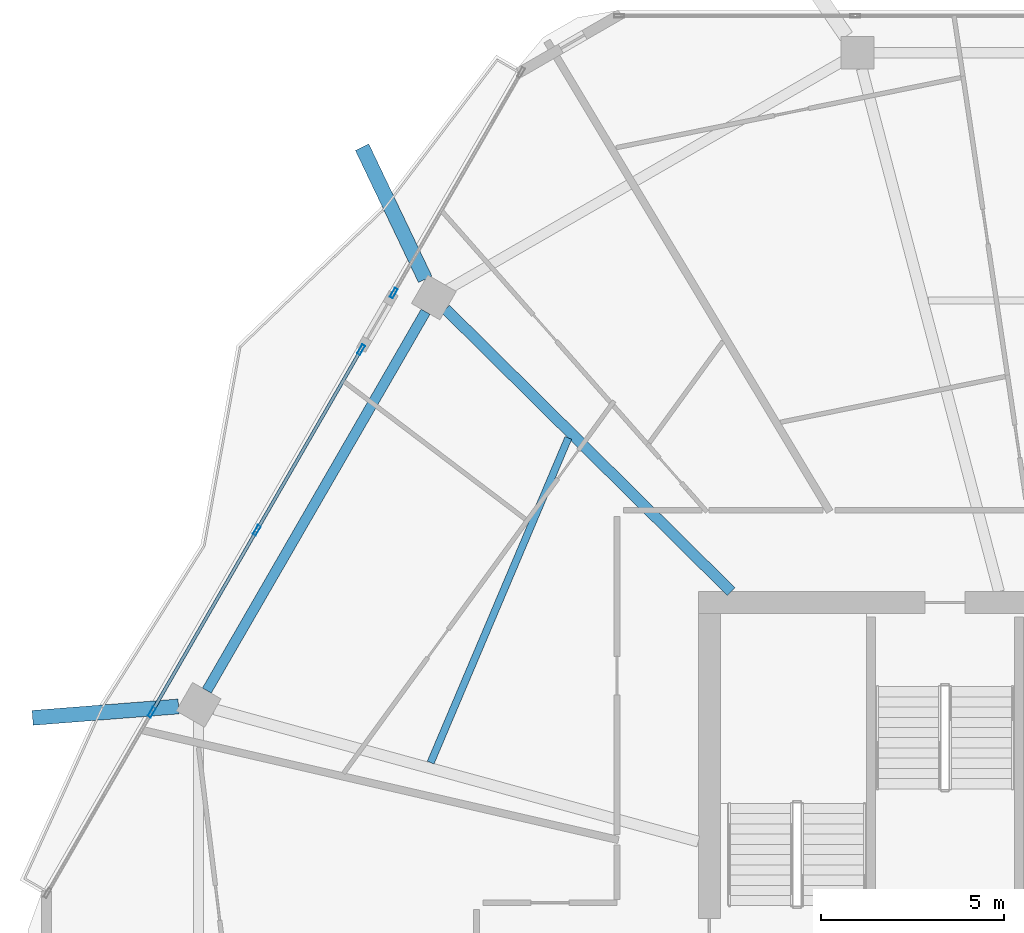
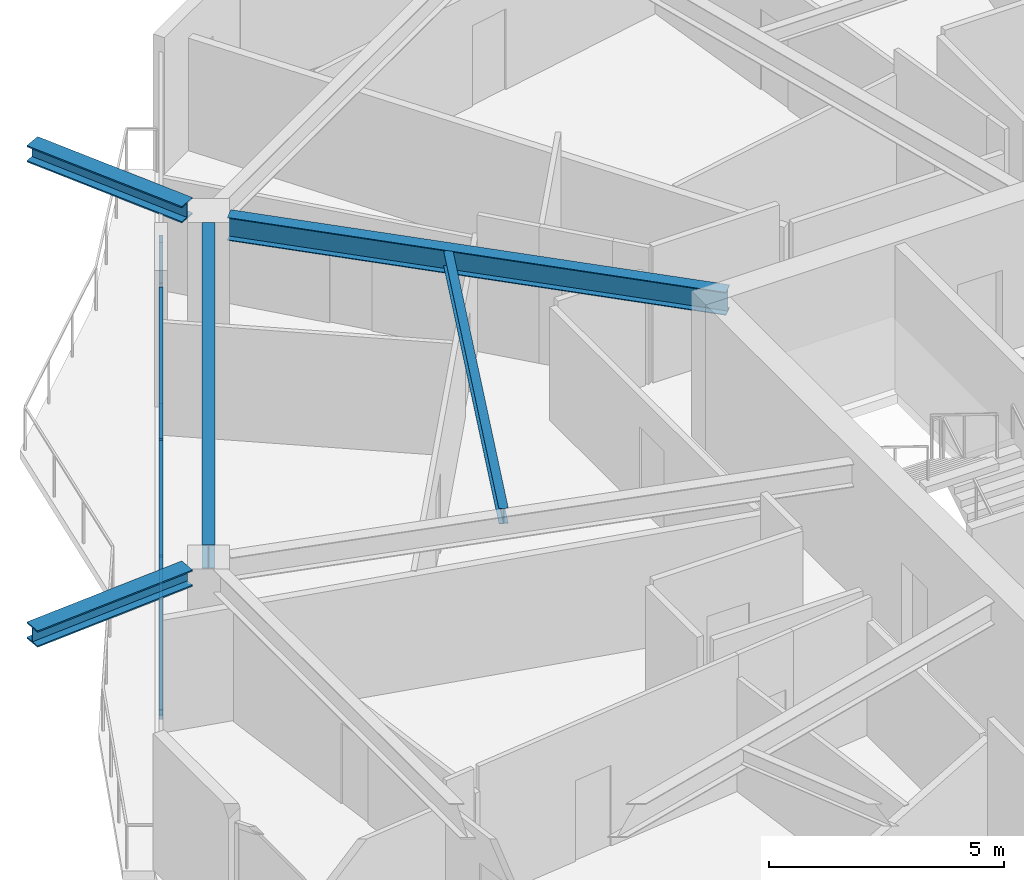
# One storey, part 11 of 25: 8 members, 5 beams, 2 elements without a shape of their own.
"""IFC4 building model written with IfcOpenShell, lengths in metres."""

from ifc_helpers import new_model, si_unit, direction, frame, origin, origin_2d, place, context, subcontext, project, spatial, hollow_rectangle, i_section, extrude, material, material_profile, profile_set, type_object, element, aggregate, save


model = new_model("IFC4")

# Units and contexts
model_context = context("Model", 3, precision=1e-05, world=origin(), true_north=direction((0.0, 1.0)))
body_context = subcontext(model_context, "Body", "Model", "MODEL_VIEW")
ifc_project = project(units=[si_unit("LENGTHUNIT", "METRE"), si_unit("AREAUNIT", "SQUARE_METRE"), si_unit("VOLUMEUNIT", "CUBIC_METRE"), si_unit("PLANEANGLEUNIT", "RADIAN"), si_unit("MASSUNIT", "GRAM", prefix="KILO")], contexts=[model_context])

# Site, building, storey
site_placement = place(None, origin())
site = spatial("IfcSite", under=ifc_project, at=site_placement, CompositionType="ELEMENT")
building_placement = place(site_placement, origin())
building = spatial("IfcBuilding", under=site, at=building_placement, Name="Zuhravey Tower", CompositionType="ELEMENT")
storey_placement = place(building_placement, frame((0.0, 0.0, 257.800048828125)))
storey = spatial("IfcBuildingStorey", under=building, at=storey_placement, Name="L65", CompositionType="ELEMENT", Elevation=257.800048828125)

# Curtain wall, members
ifc_material_1 = material(Name="Thermally broken anodised aluminium", Category="aluminium")
curtain_wall_type = type_object("IfcCurtainWallType", Name="Zone 3-4 High-Rise Curtain Wall CW4", PredefinedType="NOTDEFINED", material=ifc_material_1)
curtain_wall_1_placement = place(storey_placement, origin())
curtain_wall_1 = element("IfcCurtainWall", 1, at=curtain_wall_1_placement, inside=storey, type_object=curtain_wall_type, Name="L65 CW4 CW-L65-F3-1", PredefinedType="NOTDEFINED")
ifc_material_2 = material(Name="Anodised aluminium", Category="aluminium")
ifc_material_profile_1 = material_profile(ifc_material_2, hollow_rectangle(XDim=0.090087890625, YDim=0.284912109375, WallThickness=0.0048828125, at=origin_2d()), Name="ALU-RHS-90x285x5")
ifc_profile_set_1 = profile_set([ifc_material_profile_1], Name="Anodised aluminium")
member_type_1 = type_object("IfcMemberType", Name="Curtain-Wall Mullion 90x180", PredefinedType="MULLION", material=ifc_profile_set_1)
member_1_placement = place(storey_placement, frame((10.23193359375, 38.495849609375, 0.0), z_axis=(0.0, 0.0, 1.0), x_axis=(-0.866023617548, 0.50000309384, 0.0)))
member_1 = element("IfcMember", 2, at=member_1_placement, type_object=member_type_1, Name="CW4 mullion 2", PredefinedType="MULLION", context=body_context, shape_type="SweptSolid", body=[
    extrude(hollow_rectangle(XDim=0.090087890625, YDim=0.284912109375, WallThickness=0.0048828125, at=origin_2d()), origin(), (0.0, 0.0, 1.0), 3.1220703125),
])
member_2_placement = place(storey_placement, frame((13.109130859375, 43.47900390625, 0.0), z_axis=(0.0, 0.0, 1.0), x_axis=(-0.866023617548, 0.50000309384, 0.0)))
member_2 = element("IfcMember", 3, at=member_2_placement, type_object=member_type_1, Name="CW4 mullion 3", PredefinedType="MULLION", context=body_context, shape_type="SweptSolid", body=[
    extrude(hollow_rectangle(XDim=0.090087890625, YDim=0.284912109375, WallThickness=0.0048828125, at=origin_2d()), origin(), (0.0, 0.0, 1.0), 3.1220703125),
])
member_3_placement = place(storey_placement, frame((15.9638671875, 48.42333984375, 0.0), z_axis=(0.0, 0.0, 1.0), x_axis=(-0.866023617548, 0.50000309384, 0.0)))
member_3 = element("IfcMember", 4, at=member_3_placement, type_object=member_type_1, Name="CW4 mullion 4", PredefinedType="MULLION", context=body_context, shape_type="SweptSolid", body=[
    extrude(hollow_rectangle(XDim=0.090087890625, YDim=0.284912109375, WallThickness=0.0048828125, at=origin_2d()), origin(), (0.0, 0.0, 1.0), 3.1220703125),
])

# Curtain wall, member
curtain_wall_2_placement = place(storey_placement, origin())
curtain_wall_2 = element("IfcCurtainWall", 5, at=curtain_wall_2_placement, inside=storey, type_object=curtain_wall_type, Name="L65 CW4 CW-L65-F3-2", PredefinedType="NOTDEFINED")
member_4_placement = place(storey_placement, frame((16.85888671875, 49.9736328125, 0.0), z_axis=(0.0, 0.0, 1.0), x_axis=(-0.866025721766, 0.49999944924, 0.0)))
member_4 = element("IfcMember", 6, at=member_4_placement, type_object=member_type_1, Name="CW4 mullion 1", PredefinedType="MULLION", context=body_context, shape_type="SweptSolid", body=[
    extrude(hollow_rectangle(XDim=0.090087890625, YDim=0.284912109375, WallThickness=0.0048828125, at=origin_2d()), origin(), (0.0, 0.0, 1.0), 3.1220703125),
])
aggregate(curtain_wall_2, [member_4])

# Member
ifc_material_profile_2 = material_profile(ifc_material_2, hollow_rectangle(XDim=0.090087890625, YDim=0.14990234375, WallThickness=0.0048828125, at=origin_2d()), Name="ALU-RHS-90x150x5")
ifc_profile_set_2 = profile_set([ifc_material_profile_2], Name="Anodised aluminium")
member_type_2 = type_object("IfcMemberType", Name="Curtain-Wall Transom 90x150", PredefinedType="USERDEFINED", material=ifc_profile_set_2)
member_5_placement = place(storey_placement, frame((10.254638671875, 38.53466796875, 0.044921875), z_axis=(0.499977405199, 0.866038448506, 0.0), x_axis=(-0.866038448506, 0.499977405199, 0.0)))
member_5 = element("IfcMember", 7, at=member_5_placement, type_object=member_type_2, Name="CW4 transom 2.1", ObjectType="TRANSOM", PredefinedType="USERDEFINED", context=body_context, shape_type="SweptSolid", body=[
    extrude(hollow_rectangle(XDim=0.090087890625, YDim=0.14990234375, WallThickness=0.0048828125, at=origin_2d()), origin(), (0.0, 0.0, 1.0), 5.664306640625),
])

member_6_placement = place(storey_placement, frame((10.254638671875, 38.53466796875, 3.076904296875), z_axis=(0.499977405199, 0.866038448506, 0.0), x_axis=(-0.866038448506, 0.499977405199, 0.0)))
member_6 = element("IfcMember", 8, at=member_6_placement, type_object=member_type_2, Name="CW4 transom 2.2", ObjectType="TRANSOM", PredefinedType="USERDEFINED", context=body_context, shape_type="SweptSolid", body=[
    extrude(hollow_rectangle(XDim=0.090087890625, YDim=0.14990234375, WallThickness=0.0048828125, at=origin_2d()), origin(), (0.0, 0.0, 1.0), 5.664306640625),
])

member_7_placement = place(storey_placement, frame((13.131591796875, 43.51806640625, 0.044921875), z_axis=(0.50002206238, 0.866012665689, 0.0), x_axis=(-0.866012665689, 0.50002206238, 0.0)))
member_7 = element("IfcMember", 9, at=member_7_placement, type_object=member_type_2, Name="CW4 transom 3.1", ObjectType="TRANSOM", PredefinedType="USERDEFINED", context=body_context, shape_type="SweptSolid", body=[
    extrude(hollow_rectangle(XDim=0.090087890625, YDim=0.14990234375, WallThickness=0.0048828125, at=origin_2d()), origin(), (0.0, 0.0, 1.0), 5.619384765625),
])

member_8_placement = place(storey_placement, frame((13.131591796875, 43.51806640625, 3.076904296875), z_axis=(0.50002206238, 0.866012665689, 0.0), x_axis=(-0.866012665689, 0.50002206238, 0.0)))
member_8 = element("IfcMember", 10, at=member_8_placement, type_object=member_type_2, Name="CW4 transom 3.2", ObjectType="TRANSOM", PredefinedType="USERDEFINED", context=body_context, shape_type="SweptSolid", body=[
    extrude(hollow_rectangle(XDim=0.090087890625, YDim=0.14990234375, WallThickness=0.0048828125, at=origin_2d()), origin(), (0.0, 0.0, 1.0), 5.619384765625),
])

aggregate(curtain_wall_1, [member_1, member_2, member_3, member_5, member_6, member_7, member_8])

# Beams
ifc_material_3 = material(Name="Steel SM460", Category="steel")
ifc_material_profile_3 = material_profile(ifc_material_3, i_section(OverallWidth=0.406982421875, OverallDepth=0.427978515625, WebThickness=0.02001953125, FlangeThickness=0.034912109375, at=origin_2d()), Name="H-428x407x20x35")
ifc_profile_set_3 = profile_set([ifc_material_profile_3], Name="Steel SM460")
beam_type_1 = type_object("IfcBeamType", Name="Exoskeleton Node Tie Beam H428x407", PredefinedType="BEAM", material=ifc_profile_set_3)
for number, where, z_axis, x_axis, name in (
    (11, (17.719482421875, 50.350830078125, 3.3359375), (-0.431011445347, 0.902346460058, 0.0), (-0.902346460058, -0.431011445347, 0.0), "L65 Exoskeleton Node Tie NT1-05"),
    (12, (10.96728515625, 38.656005859375, 3.3359375), (-0.996960589137, -0.077907533055, 0.0), (0.077907533055, -0.996960589137, 0.0), "L65 Exoskeleton Node Tie NT1-06"),
):
    element("IfcBeam", number, at=place(storey_placement, frame(where, z_axis=z_axis, x_axis=x_axis)), inside=storey, type_object=beam_type_1, Name=name, PredefinedType="BEAM", context=body_context, shape_type="SweptSolid", body=[
        extrude(i_section(OverallWidth=0.406982421875, OverallDepth=0.427978515625, WebThickness=0.02001953125, FlangeThickness=0.034912109375, at=origin_2d()), origin(), (0.0, 0.0, 1.0), 4.008056640625),
    ])
ifc_material_4 = material(Name="Steel SM355", Category="steel")
ifc_material_profile_4 = material_profile(ifc_material_4, i_section(OverallWidth=0.280029296875, OverallDepth=0.6201171875, WebThickness=0.011962890625, FlangeThickness=0.02001953125, at=origin_2d()), Name="H-620x280x12x20")
ifc_profile_set_4 = profile_set([ifc_material_profile_4], Name="Steel SM355")
beam_type_2 = type_object("IfcBeamType", Name="Perimeter Ring Beam H620x280", PredefinedType="BEAM", material=ifc_profile_set_4)
beam_1_placement = place(storey_placement, frame((17.72998046875, 49.46240234375, 3.239990234375), z_axis=(-0.500017744717, -0.866015158625, 0.0), x_axis=(0.866015158625, -0.500017744717, 0.0)))
element("IfcBeam", 13, at=beam_1_placement, inside=storey, type_object=beam_type_2, Name="L65 PB3 BM-L65-PB-05", PredefinedType="BEAM", context=body_context, shape_type="SweptSolid", body=[
    extrude(i_section(OverallWidth=0.280029296875, OverallDepth=0.6201171875, WebThickness=0.011962890625, FlangeThickness=0.02001953125, at=origin_2d()), origin(), (0.0, 0.0, 1.0), 11.9755859375),
])
ifc_material_profile_5 = material_profile(ifc_material_4, i_section(OverallWidth=0.300048828125, OverallDepth=0.60009765625, WebThickness=0.011962890625, FlangeThickness=0.02001953125, at=origin_2d()), Name="H-600x300x12x20")
ifc_profile_set_5 = profile_set([ifc_material_profile_5], Name="Steel SM355")
beam_type_3 = type_object("IfcBeamType", Name="Radial Primary Girder H600x300", PredefinedType="BEAM", material=ifc_profile_set_5)
beam_2_placement = place(storey_placement, frame((26.09326171875, 41.802978515625, 3.25), z_axis=(-0.710816516282, 0.703377480576, 0.0), x_axis=(-0.703377480576, -0.710816516282, 0.0)))
element("IfcBeam", 14, at=beam_2_placement, inside=storey, type_object=beam_type_3, Name="L65 RG3 BM-L65-RAD-05", PredefinedType="BEAM", context=body_context, shape_type="SweptSolid", body=[
    extrude(i_section(OverallWidth=0.300048828125, OverallDepth=0.60009765625, WebThickness=0.011962890625, FlangeThickness=0.02001953125, at=origin_2d()), origin(), (0.0, 0.0, 1.0), 10.994384765625),
])
ifc_material_profile_6 = material_profile(ifc_material_4, i_section(OverallWidth=0.199951171875, OverallDepth=0.39990234375, WebThickness=0.008056640625, FlangeThickness=0.012939453125, at=origin_2d()), Name="H-400x200x8x13")
ifc_profile_set_6 = profile_set([ifc_material_profile_6], Name="Steel SM355")
beam_type_4 = type_object("IfcBeamType", Name="Secondary Floor Joist H400x200", PredefinedType="JOIST", material=ifc_profile_set_6)
beam_3_placement = place(storey_placement, frame((21.63916015625, 46.009033203125, 3.349853515625), z_axis=(-0.390413493754, -0.920639616731, 0.0), x_axis=(0.920639616731, -0.390413493754, 0.0)))
element("IfcBeam", 15, at=beam_3_placement, inside=storey, type_object=beam_type_4, Name="L65 SJ2 BM-L65-SJ-05-1", PredefinedType="JOIST", context=body_context, shape_type="SweptSolid", body=[
    extrude(i_section(OverallWidth=0.199951171875, OverallDepth=0.39990234375, WebThickness=0.008056640625, FlangeThickness=0.012939453125, at=origin_2d()), origin(), (0.0, 0.0, 1.0), 9.656494140625),
])

save(model, "model.ifc")
